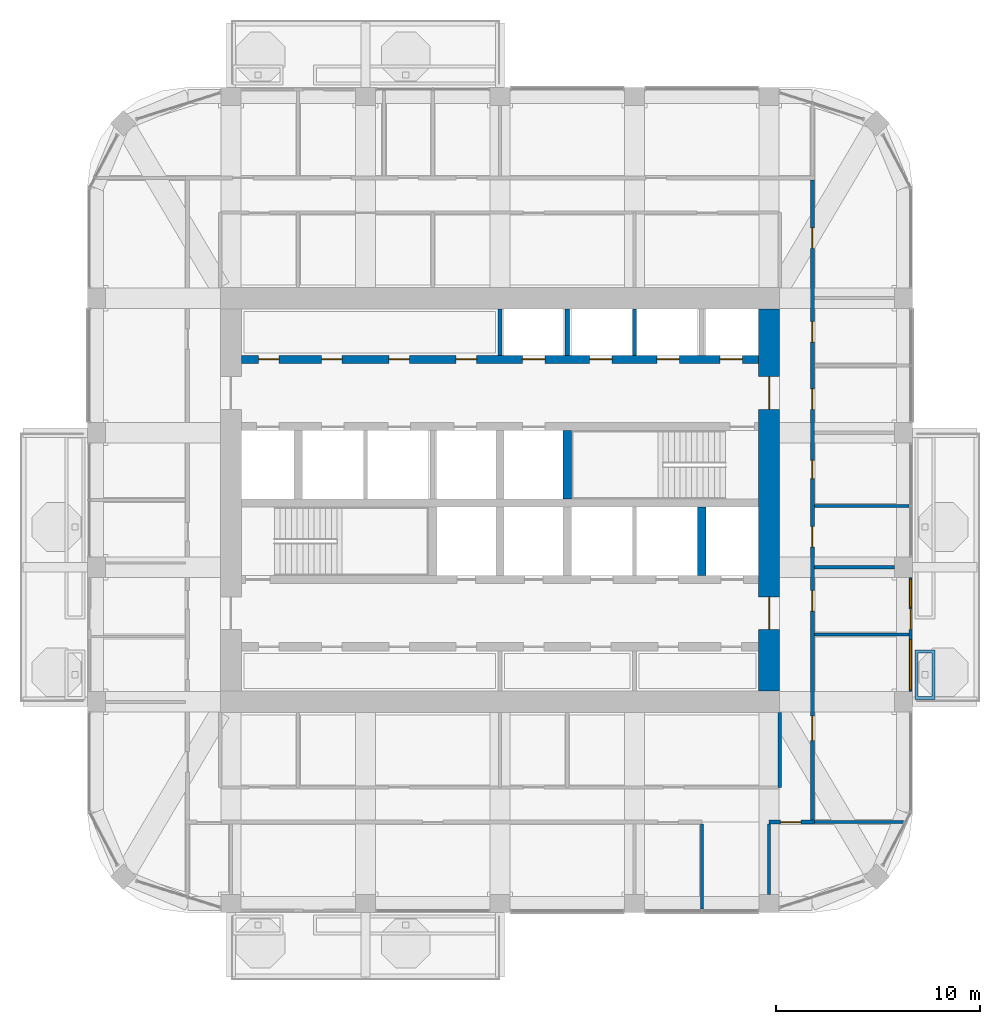
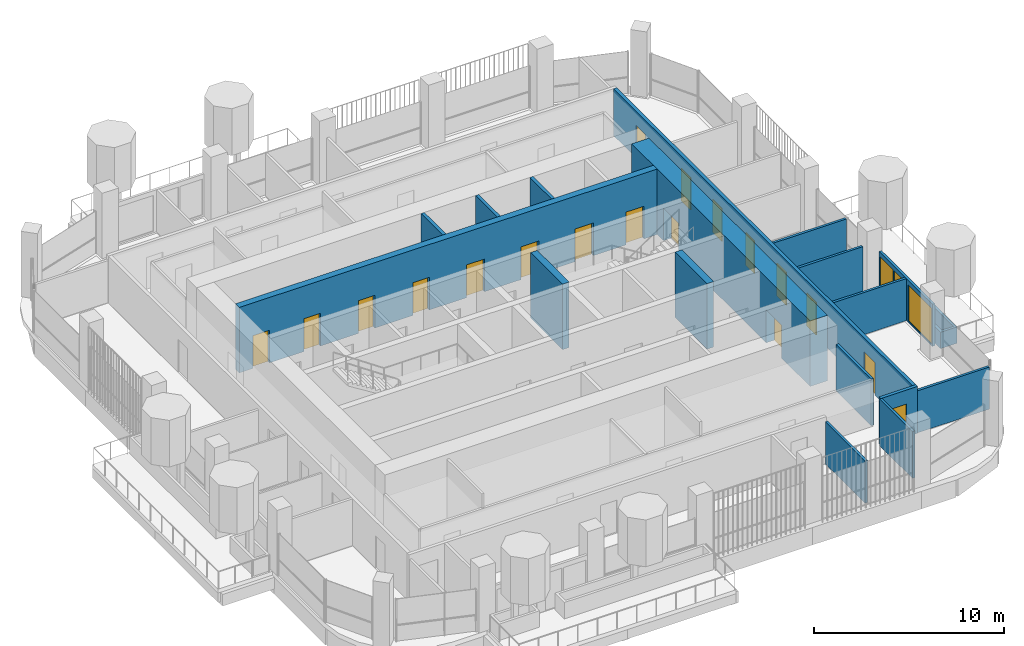
# One storey, part 14 of 20: 19 doors, 18 walls, 2 windows, 21 openings.
"""IFC4 building model written with IfcOpenShell, lengths in metres."""

from ifc_helpers import new_model, si_unit, direction, frame, frame_2d, origin, place, context, subcontext, project, spatial, polyline, rectangle, outline, extrude, material, layer, layer_set, type_object, element, fill, save


model = new_model("IFC4")

# Units and contexts
model_context = context("Model", 3, precision=1e-05, world=origin(), true_north=direction((0.0, 1.0)))
body_context = subcontext(model_context, "Body", "Model", "MODEL_VIEW")
ifc_project = project(units=[si_unit("LENGTHUNIT", "METRE"), si_unit("AREAUNIT", "SQUARE_METRE"), si_unit("VOLUMEUNIT", "CUBIC_METRE"), si_unit("PLANEANGLEUNIT", "RADIAN"), si_unit("MASSUNIT", "GRAM", prefix="KILO")], contexts=[model_context])

# Site, building, storey
site_placement = place(None, origin())
site = spatial("IfcSite", under=ifc_project, at=site_placement, CompositionType="ELEMENT")
building_placement = place(site_placement, origin())
building = spatial("IfcBuilding", under=site, at=building_placement, Name="Cobogo Forest Laboratory Tower", CompositionType="ELEMENT")
storey_placement = place(building_placement, frame((0.0, 0.0, 279.60009765625)))
storey = spatial("IfcBuildingStorey", under=building, at=storey_placement, Name="L64", CompositionType="ELEMENT", Elevation=279.60009765625)

# Wall, openings, doors
ifc_material_1 = material(Name="Concrete HA-50 (C50/60)", Category="concrete")
ifc_layer_1 = layer(ifc_material_1, 0.39990234375)
ifc_layer_set_1 = layer_set([ifc_layer_1], Name="CI400 core inner wall 400")
wall_type_1 = type_object("IfcWallType", Name="CI400 core inner wall 400", PredefinedType="SHEAR", material=ifc_layer_set_1)
wall_1_placement = place(storey_placement, frame((13.72509765625, 30.0, 0.0), z_axis=(0.0, 0.0, 1.0), x_axis=(1.0, 0.0, 0.0)))
wall_1 = element("IfcWall", 1, at=wall_1_placement, inside=storey, type_object=wall_type_1, Name="Core wall CI-30.0 L64", PredefinedType="SHEAR", context=body_context, shape_type="SweptSolid", body=[
    extrude(rectangle(XDim=25.349853515625, YDim=0.39990234375, at=frame_2d((12.6748046875, 0.0))), origin(), (0.0, 0.0, 1.0), 4.199951171875),
])
opening_1_placement = place(wall_1_placement, frame((0.83740234375, 0.0, 0.0)))
opening_1 = element("IfcOpeningElement", 2, at=opening_1_placement, cuts=wall_1, Name="Opening L64-D37", PredefinedType="OPENING", context=body_context, shape_type="SweptSolid", body=[
    extrude(rectangle(XDim=1.0, YDim=2.10009765625, at=frame_2d((0.5, 1.050048828125))), frame((0.0, 0.2099609375, 0.0), z_axis=(0.0, -1.0, 0.0), x_axis=(1.0, 0.0, 0.0)), (0.0, 0.0, 1.0), 0.419921875),
])
opening_2_placement = place(wall_1_placement, frame((3.925048828125, 0.0, 0.0)))
opening_2 = element("IfcOpeningElement", 3, at=opening_2_placement, cuts=wall_1, Name="Opening L64-D38", PredefinedType="OPENING", context=body_context, shape_type="SweptSolid", body=[
    extrude(rectangle(XDim=1.0, YDim=2.10009765625, at=frame_2d((0.5, 1.050048828125))), frame((0.0, 0.2099609375, 0.0), z_axis=(0.0, -1.0, 0.0), x_axis=(1.0, 0.0, 0.0)), (0.0, 0.0, 1.0), 0.419921875),
])
opening_3_placement = place(wall_1_placement, frame((7.22509765625, 0.0, 0.0)))
opening_3 = element("IfcOpeningElement", 4, at=opening_3_placement, cuts=wall_1, Name="Opening L64-D39", PredefinedType="OPENING", context=body_context, shape_type="SweptSolid", body=[
    extrude(rectangle(XDim=1.0, YDim=2.10009765625, at=frame_2d((0.5, 1.050048828125))), frame((0.0, 0.2099609375, 0.0), z_axis=(0.0, -1.0, 0.0), x_axis=(1.0, 0.0, 0.0)), (0.0, 0.0, 1.0), 0.419921875),
])
opening_4_placement = place(wall_1_placement, frame((10.52490234375, 0.0, 0.0)))
opening_4 = element("IfcOpeningElement", 5, at=opening_4_placement, cuts=wall_1, Name="Opening L64-D40", PredefinedType="OPENING", context=body_context, shape_type="SweptSolid", body=[
    extrude(rectangle(XDim=1.0, YDim=2.10009765625, at=frame_2d((0.5, 1.050048828125))), frame((0.0, 0.2099609375, 0.0), z_axis=(0.0, -1.0, 0.0), x_axis=(1.0, 0.0, 0.0)), (0.0, 0.0, 1.0), 0.419921875),
])
opening_5_placement = place(wall_1_placement, frame((13.77490234375, 0.0, 0.0)))
opening_5 = element("IfcOpeningElement", 6, at=opening_5_placement, cuts=wall_1, Name="Opening L64-LD-LD1", PredefinedType="OPENING", context=body_context, shape_type="SweptSolid", body=[
    extrude(rectangle(XDim=1.10009765625, YDim=2.10009765625, at=frame_2d((0.550048828125, 1.050048828125))), frame((0.0, 0.2099609375, 0.0), z_axis=(0.0, -1.0, 0.0), x_axis=(1.0, 0.0, 0.0)), (0.0, 0.0, 1.0), 0.419921875),
])
opening_6_placement = place(wall_1_placement, frame((17.074951171875, 0.0, 0.0)))
opening_6 = element("IfcOpeningElement", 7, at=opening_6_placement, cuts=wall_1, Name="Opening L64-LD-LD2", PredefinedType="OPENING", context=body_context, shape_type="SweptSolid", body=[
    extrude(rectangle(XDim=1.10009765625, YDim=2.10009765625, at=frame_2d((0.550048828125, 1.050048828125))), frame((0.0, 0.2099609375, 0.0), z_axis=(0.0, -1.0, 0.0), x_axis=(1.0, 0.0, 0.0)), (0.0, 0.0, 1.0), 0.419921875),
])
opening_7_placement = place(wall_1_placement, frame((20.375, 0.0, 0.0)))
opening_7 = element("IfcOpeningElement", 8, at=opening_7_placement, cuts=wall_1, Name="Opening L64-LD-LD3", PredefinedType="OPENING", context=body_context, shape_type="SweptSolid", body=[
    extrude(rectangle(XDim=1.10009765625, YDim=2.10009765625, at=frame_2d((0.550048828125, 1.050048828125))), frame((0.0, 0.2099609375, 0.0), z_axis=(0.0, -1.0, 0.0), x_axis=(1.0, 0.0, 0.0)), (0.0, 0.0, 1.0), 0.419921875),
])
opening_8_placement = place(wall_1_placement, frame((23.46240234375, 0.0, 0.0)))
opening_8 = element("IfcOpeningElement", 9, at=opening_8_placement, cuts=wall_1, Name="Opening L64-LD-LD4", PredefinedType="OPENING", context=body_context, shape_type="SweptSolid", body=[
    extrude(rectangle(XDim=1.10009765625, YDim=2.10009765625, at=frame_2d((0.550048828125, 1.050048828125))), frame((0.0, 0.2099609375, 0.0), z_axis=(0.0, -1.0, 0.0), x_axis=(1.0, 0.0, 0.0)), (0.0, 0.0, 1.0), 0.419921875),
])
ifc_material_2 = material(Name="Steel fire door", Category="steel")
door_type_1 = type_object("IfcDoorType", Name="FD1 fire door 1000 EI2 60", OperationType="SINGLE_SWING_LEFT", PredefinedType="DOOR", material=ifc_material_2)
door_1_placement = place(opening_1_placement, origin())
door_1 = element("IfcDoor", 10, at=door_1_placement, inside=storey, type_object=door_type_1, Name="Door L64-SH-LC1", OperationType="SINGLE_SWING_LEFT", OverallHeight=2.10009765625, OverallWidth=1.0, PredefinedType="DOOR", context=body_context, shape_type="SweptSolid", body=[
    extrude(rectangle(XDim=1.0, YDim=2.10009765625, at=frame_2d((0.5, 1.050048828125))), frame((0.0, 0.02490234375, 0.0), z_axis=(0.0, -1.0, 0.0), x_axis=(1.0, 0.0, 0.0)), (0.0, 0.0, 1.0), 0.050048828125),
])
fill(opening_1, door_1)
door_2_placement = place(opening_2_placement, origin())
door_2 = element("IfcDoor", 11, at=door_2_placement, inside=storey, type_object=door_type_1, Name="Door L64-SH-LC2", OperationType="SINGLE_SWING_LEFT", OverallHeight=2.10009765625, OverallWidth=1.0, PredefinedType="DOOR", context=body_context, shape_type="SweptSolid", body=[
    extrude(rectangle(XDim=1.0, YDim=2.10009765625, at=frame_2d((0.5, 1.050048828125))), frame((0.0, 0.02490234375, 0.0), z_axis=(0.0, -1.0, 0.0), x_axis=(1.0, 0.0, 0.0)), (0.0, 0.0, 1.0), 0.050048828125),
])
fill(opening_2, door_2)
door_3_placement = place(opening_3_placement, origin())
door_3 = element("IfcDoor", 12, at=door_3_placement, inside=storey, type_object=door_type_1, Name="Door L64-SH-LC3", OperationType="SINGLE_SWING_LEFT", OverallHeight=2.10009765625, OverallWidth=1.0, PredefinedType="DOOR", context=body_context, shape_type="SweptSolid", body=[
    extrude(rectangle(XDim=1.0, YDim=2.10009765625, at=frame_2d((0.5, 1.050048828125))), frame((0.0, 0.02490234375, 0.0), z_axis=(0.0, -1.0, 0.0), x_axis=(1.0, 0.0, 0.0)), (0.0, 0.0, 1.0), 0.050048828125),
])
fill(opening_3, door_3)
door_4_placement = place(opening_4_placement, origin())
door_4 = element("IfcDoor", 13, at=door_4_placement, inside=storey, type_object=door_type_1, Name="Door L64-SH-LC4", OperationType="SINGLE_SWING_LEFT", OverallHeight=2.10009765625, OverallWidth=1.0, PredefinedType="DOOR", context=body_context, shape_type="SweptSolid", body=[
    extrude(rectangle(XDim=1.0, YDim=2.10009765625, at=frame_2d((0.5, 1.050048828125))), frame((0.0, 0.02490234375, 0.0), z_axis=(0.0, -1.0, 0.0), x_axis=(1.0, 0.0, 0.0)), (0.0, 0.0, 1.0), 0.050048828125),
])
fill(opening_4, door_4)
ifc_material_3 = material(Name="Stainless steel lift door", Category="steel")
door_type_2 = type_object("IfcDoorType", Name="LD lift landing door 1100", OperationType="DOUBLE_DOOR_SLIDING", PredefinedType="DOOR", material=ifc_material_3)
door_5_placement = place(opening_5_placement, origin())
door_5 = element("IfcDoor", 14, at=door_5_placement, inside=storey, type_object=door_type_2, Name="Lift landing door LD1 L64", OperationType="DOUBLE_DOOR_SLIDING", OverallHeight=2.10009765625, OverallWidth=1.10009765625, PredefinedType="DOOR", context=body_context, shape_type="SweptSolid", body=[
    extrude(rectangle(XDim=1.10009765625, YDim=2.10009765625, at=frame_2d((0.550048828125, 1.050048828125))), frame((0.0, 0.02490234375, 0.0), z_axis=(0.0, -1.0, 0.0), x_axis=(1.0, 0.0, 0.0)), (0.0, 0.0, 1.0), 0.050048828125),
])
fill(opening_5, door_5)
door_6_placement = place(opening_6_placement, origin())
door_6 = element("IfcDoor", 15, at=door_6_placement, inside=storey, type_object=door_type_2, Name="Lift landing door LD2 L64", OperationType="DOUBLE_DOOR_SLIDING", OverallHeight=2.10009765625, OverallWidth=1.10009765625, PredefinedType="DOOR", context=body_context, shape_type="SweptSolid", body=[
    extrude(rectangle(XDim=1.10009765625, YDim=2.10009765625, at=frame_2d((0.550048828125, 1.050048828125))), frame((0.0, 0.02490234375, 0.0), z_axis=(0.0, -1.0, 0.0), x_axis=(1.0, 0.0, 0.0)), (0.0, 0.0, 1.0), 0.050048828125),
])
fill(opening_6, door_6)
door_7_placement = place(opening_7_placement, origin())
door_7 = element("IfcDoor", 16, at=door_7_placement, inside=storey, type_object=door_type_2, Name="Lift landing door LD3 L64", OperationType="DOUBLE_DOOR_SLIDING", OverallHeight=2.10009765625, OverallWidth=1.10009765625, PredefinedType="DOOR", context=body_context, shape_type="SweptSolid", body=[
    extrude(rectangle(XDim=1.10009765625, YDim=2.10009765625, at=frame_2d((0.550048828125, 1.050048828125))), frame((0.0, 0.02490234375, 0.0), z_axis=(0.0, -1.0, 0.0), x_axis=(1.0, 0.0, 0.0)), (0.0, 0.0, 1.0), 0.050048828125),
])
fill(opening_7, door_7)
door_8_placement = place(opening_8_placement, origin())
door_8 = element("IfcDoor", 17, at=door_8_placement, inside=storey, type_object=door_type_2, Name="Lift landing door LD4 L64", OperationType="DOUBLE_DOOR_SLIDING", OverallHeight=2.10009765625, OverallWidth=1.10009765625, PredefinedType="DOOR", context=body_context, shape_type="SweptSolid", body=[
    extrude(rectangle(XDim=1.10009765625, YDim=2.10009765625, at=frame_2d((0.550048828125, 1.050048828125))), frame((0.0, 0.02490234375, 0.0), z_axis=(0.0, -1.0, 0.0), x_axis=(1.0, 0.0, 0.0)), (0.0, 0.0, 1.0), 0.050048828125),
])
fill(opening_8, door_8)

# Walls
for number, where, z_axis, x_axis, name in (
    (18, (36.300048828125, 19.39990234375, 0.0), (0.0, 0.0, 1.0), (0.0, 1.0, 0.0), "Core wall CX-36.3 L64"),
    (19, (29.699951171875, 23.14990234375, 0.0), (0.0, 0.0, 1.0), (0.0, 1.0, 0.0), "Core wall CX-29.7N L64"),
):
    element("IfcWall", number, at=place(storey_placement, frame(where, z_axis=z_axis, x_axis=x_axis)), inside=storey, type_object=wall_type_1, Name=name, PredefinedType="SHEAR", context=body_context, shape_type="SweptSolid", body=[
        extrude(rectangle(XDim=3.35009765625, YDim=0.39990234375, at=frame_2d((1.675048828125, 0.0))), origin(), (0.0, 0.0, 1.0), 4.199951171875),
    ])

# Wall, openings, doors
ifc_layer_2 = layer(ifc_material_1, 1.050048828125)
ifc_layer_set_2 = layer_set([ifc_layer_2], Name="CW1050 core outer wall 1050")
wall_type_2 = type_object("IfcWallType", Name="CW1050 core outer wall 1050", PredefinedType="SHEAR", material=ifc_layer_set_2)
wall_2_placement = place(storey_placement, frame((39.60009765625, 13.72509765625, 0.0), z_axis=(0.0, 0.0, 1.0), x_axis=(0.0, 1.0, 0.0)))
wall_2 = element("IfcWall", 20, at=wall_2_placement, inside=storey, type_object=wall_type_2, Name="Core wall CO-E L64", PredefinedType="SHEAR", context=body_context, shape_type="SweptSolid", body=[
    extrude(rectangle(XDim=18.75, YDim=1.050048828125, at=frame_2d((9.375, 0.0))), origin(), (0.0, 0.0, 1.0), 4.199951171875),
])
opening_9_placement = place(wall_2_placement, frame((3.02490234375, 0.0, 0.0)))
opening_9 = element("IfcOpeningElement", 21, at=opening_9_placement, cuts=wall_2, Name="Opening L64-D24", PredefinedType="OPENING", context=body_context, shape_type="SweptSolid", body=[
    extrude(rectangle(XDim=1.60009765625, YDim=2.10009765625, at=frame_2d((0.800048828125, 1.050048828125))), frame((0.0, 0.534912109375, 0.0), z_axis=(0.0, -1.0, 0.0), x_axis=(1.0, 0.0, 0.0)), (0.0, 0.0, 1.0), 1.070068359375),
])
opening_10_placement = place(wall_2_placement, frame((13.824951171875, 0.0, 0.0)))
opening_10 = element("IfcOpeningElement", 22, at=opening_10_placement, cuts=wall_2, Name="Opening L64-D36", PredefinedType="OPENING", context=body_context, shape_type="SweptSolid", body=[
    extrude(rectangle(XDim=1.60009765625, YDim=2.10009765625, at=frame_2d((0.800048828125, 1.050048828125))), frame((0.0, 0.534912109375, 0.0), z_axis=(0.0, -1.0, 0.0), x_axis=(1.0, 0.0, 0.0)), (0.0, 0.0, 1.0), 1.070068359375),
])
door_type_3 = type_object("IfcDoorType", Name="DS2 protected lobby door pair 1600 EI2 60", OperationType="DOUBLE_DOOR_DOUBLE_SWING", PredefinedType="DOOR", material=ifc_material_2)
door_9_placement = place(opening_9_placement, origin())
door_9 = element("IfcDoor", 23, at=door_9_placement, inside=storey, type_object=door_type_3, Name="Door L64-CO-E-S", OperationType="DOUBLE_DOOR_DOUBLE_SWING", OverallHeight=2.10009765625, OverallWidth=1.60009765625, PredefinedType="DOOR", context=body_context, shape_type="SweptSolid", body=[
    extrude(rectangle(XDim=1.60009765625, YDim=2.10009765625, at=frame_2d((0.800048828125, 1.050048828125))), frame((0.0, 0.02490234375, 0.0), z_axis=(0.0, -1.0, 0.0), x_axis=(1.0, 0.0, 0.0)), (0.0, 0.0, 1.0), 0.050048828125),
])
fill(opening_9, door_9)
door_10_placement = place(opening_10_placement, origin())
door_10 = element("IfcDoor", 24, at=door_10_placement, inside=storey, type_object=door_type_3, Name="Door L64-CO-E-N", OperationType="DOUBLE_DOOR_DOUBLE_SWING", OverallHeight=2.10009765625, OverallWidth=1.60009765625, PredefinedType="DOOR", context=body_context, shape_type="SweptSolid", body=[
    extrude(rectangle(XDim=1.60009765625, YDim=2.10009765625, at=frame_2d((0.800048828125, 1.050048828125))), frame((0.0, 0.02490234375, 0.0), z_axis=(0.0, -1.0, 0.0), x_axis=(1.0, 0.0, 0.0)), (0.0, 0.0, 1.0), 0.050048828125),
])
fill(opening_10, door_10)

# Wall, openings, door, windows
ifc_material_4 = material(Name="Aluminium framed glazed screen", Category="aluminium")
ifc_layer_3 = layer(ifc_material_4, 0.14990234375)
ifc_layer_set_3 = layer_set([ifc_layer_3], Name="GS1 glazed door screen 150")
wall_type_3 = type_object("IfcWallType", Name="GS1 glazed door screen 150", PredefinedType="SOLIDWALL", material=ifc_layer_set_3)
wall_3_placement = place(storey_placement, frame((46.550048828125, 13.699951171875, 0.0), z_axis=(0.0, 0.0, 1.0), x_axis=(0.0, 1.0, 0.0)))
wall_3 = element("IfcWall", 25, at=wall_3_placement, inside=storey, type_object=wall_type_3, Name="Door screen BAL-E1 L64", PredefinedType="SOLIDWALL", context=body_context, shape_type="SweptSolid", body=[
    extrude(rectangle(XDim=5.60009765625, YDim=0.14990234375, at=frame_2d((2.800048828125, 0.0))), origin(), (0.0, 0.0, 1.0), 2.699951171875),
])
opening_11_placement = place(wall_3_placement, frame((3.050048828125, 0.0, 0.0)))
opening_11 = element("IfcOpeningElement", 26, at=opening_11_placement, cuts=wall_3, Name="Opening L64-D22", PredefinedType="OPENING", context=body_context, shape_type="SweptSolid", body=[
    extrude(rectangle(XDim=1.0, YDim=2.39990234375, at=frame_2d((0.5, 1.199951171875))), frame((0.0, 0.0849609375, 0.0), z_axis=(0.0, -1.0, 0.0), x_axis=(1.0, 0.0, 0.0)), (0.0, 0.0, 1.0), 0.169921875),
])
opening_12_placement = place(wall_3_placement, frame((0.10009765625, 0.0, 0.10009765625)))
opening_12 = element("IfcOpeningElement", 27, at=opening_12_placement, cuts=wall_3, Name="Opening L64-W04", PredefinedType="OPENING", context=body_context, shape_type="SweptSolid", body=[
    extrude(rectangle(XDim=2.449951171875, YDim=2.300048828125, at=frame_2d((1.22509765625, 1.14990234375))), frame((0.0, 0.0849609375, 0.0), z_axis=(0.0, -1.0, 0.0), x_axis=(1.0, 0.0, 0.0)), (0.0, 0.0, 1.0), 0.169921875),
])
opening_13_placement = place(wall_3_placement, frame((4.14990234375, 0.0, 0.10009765625)))
opening_13 = element("IfcOpeningElement", 28, at=opening_13_placement, cuts=wall_3, Name="Opening L64-W06", PredefinedType="OPENING", context=body_context, shape_type="SweptSolid", body=[
    extrude(rectangle(XDim=1.35009765625, YDim=2.300048828125, at=frame_2d((0.675048828125, 1.14990234375))), frame((0.0, 0.0849609375, 0.0), z_axis=(0.0, -1.0, 0.0), x_axis=(1.0, 0.0, 0.0)), (0.0, 0.0, 1.0), 0.169921875),
])
ifc_material_5 = material(Name="Aluminium glazed door", Category="aluminium")
door_type_4 = type_object("IfcDoorType", Name="DB1 balcony door 1000 glazed", OperationType="SINGLE_SWING_LEFT", PredefinedType="DOOR", material=ifc_material_5)
door_11_placement = place(opening_11_placement, origin())
door_11 = element("IfcDoor", 29, at=door_11_placement, inside=storey, type_object=door_type_4, Name="Door L64-BAL-E1", OperationType="SINGLE_SWING_RIGHT", OverallHeight=2.39990234375, OverallWidth=1.0, PredefinedType="DOOR", context=body_context, shape_type="SweptSolid", body=[
    extrude(rectangle(XDim=1.0, YDim=2.39990234375, at=frame_2d((0.5, 1.199951171875))), frame((0.0, 0.02490234375, 0.0), z_axis=(0.0, -1.0, 0.0), x_axis=(1.0, 0.0, 0.0)), (0.0, 0.0, 1.0), 0.050048828125),
])
fill(opening_11, door_11)
ifc_material_6 = material(Name="Aluminium framed glazing", Category="aluminium")
window_type_1 = type_object("IfcWindowType", Name="WG23 fixed glazed light 2450x2300", PartitioningType="SINGLE_PANEL", PredefinedType="WINDOW", material=ifc_material_6)
window_1_placement = place(opening_12_placement, origin())
window_1 = element("IfcWindow", 30, at=window_1_placement, inside=storey, type_object=window_type_1, Name="Window L64-BAL-E1-1", OverallHeight=2.300048828125, OverallWidth=2.449951171875, PartitioningType="SINGLE_PANEL", PredefinedType="WINDOW", context=body_context, shape_type="SweptSolid", body=[
    extrude(rectangle(XDim=2.449951171875, YDim=2.300048828125, at=frame_2d((1.22509765625, 1.14990234375))), frame((0.0, 0.030029296875, 0.0), z_axis=(0.0, -1.0, 0.0), x_axis=(1.0, 0.0, 0.0)), (0.0, 0.0, 1.0), 0.06005859375),
])
fill(opening_12, window_1)
window_type_2 = type_object("IfcWindowType", Name="WG24 fixed glazed light 1350x2300", PartitioningType="SINGLE_PANEL", PredefinedType="WINDOW", material=ifc_material_6)
window_2_placement = place(opening_13_placement, origin())
window_2 = element("IfcWindow", 31, at=window_2_placement, inside=storey, type_object=window_type_2, Name="Window L64-BAL-E1-2", OverallHeight=2.300048828125, OverallWidth=1.35009765625, PartitioningType="SINGLE_PANEL", PredefinedType="WINDOW", context=body_context, shape_type="SweptSolid", body=[
    extrude(rectangle(XDim=1.35009765625, YDim=2.300048828125, at=frame_2d((0.675048828125, 1.14990234375))), frame((0.0, 0.030029296875, 0.0), z_axis=(0.0, -1.0, 0.0), x_axis=(1.0, 0.0, 0.0)), (0.0, 0.0, 1.0), 0.06005859375),
])
fill(opening_13, window_2)

# Walls
ifc_material_7 = material(Name="Gypsum board on steel studs", Category="steel")
ifc_layer_4 = layer(ifc_material_7, 0.14990234375)
ifc_layer_set_4 = layer_set([ifc_layer_4], Name="PT1 laboratory partition 150")
wall_type_4 = type_object("IfcWallType", Name="PT1 laboratory partition 150", PredefinedType="PARTITIONING", material=ifc_layer_set_4)
wall_4_placement = place(storey_placement, frame((40.125, 12.675048828125, 0.0), z_axis=(0.0, 0.0, 1.0), x_axis=(0.0, -1.0, 0.0)))
element("IfcWall", 32, at=wall_4_placement, inside=storey, type_object=wall_type_4, Name="Partition CSTRIP-SE L64", PredefinedType="PARTITIONING", context=body_context, shape_type="SweptSolid", body=[
    extrude(rectangle(XDim=3.675048828125, YDim=0.14990234375, at=frame_2d((1.83740234375, 0.0))), origin(), (0.0, 0.0, 1.0), 3.0),
])
wall_5_placement = place(storey_placement, frame((46.197509765625, 7.300048828125, 0.0), z_axis=(0.0, 0.0, 1.0), x_axis=(-1.0, 0.0, 0.0)))
element("IfcWall", 33, at=wall_5_placement, inside=storey, type_object=wall_type_4, Name="Partition PW-SE L64", PredefinedType="PARTITIONING", context=body_context, shape_type="SweptSolid", body=[
    extrude(rectangle(XDim=4.37255859375, YDim=0.14990234375, at=frame_2d((2.186279296875, 0.0))), origin(), (0.0, 0.0, 1.0), 2.699951171875),
])
wall_6_placement = place(storey_placement, frame((36.300048828125, 3.030029296875, 0.0), z_axis=(0.0, 0.0, 1.0), x_axis=(0.0, 1.0, 0.0)))
element("IfcWall", 34, at=wall_6_placement, inside=storey, type_object=wall_type_4, Name="Partition CUT-S36.3-1 L64", PredefinedType="PARTITIONING", context=body_context, shape_type="SweptSolid", body=[
    extrude(rectangle(XDim=4.169921875, YDim=0.14990234375, at=frame_2d((2.0849609375, 0.0))), origin(), (0.0, 0.0, 1.0), 2.699951171875),
])
wall_7_placement = place(storey_placement, frame((39.60009765625, 3.75, 0.0), z_axis=(0.0, 0.0, 1.0), x_axis=(0.0, 1.0, 0.0)))
element("IfcWall", 35, at=wall_7_placement, inside=storey, type_object=wall_type_4, Name="Partition CUT-S39.6-1 L64", PredefinedType="PARTITIONING", context=body_context, shape_type="SweptSolid", body=[
    extrude(rectangle(XDim=3.449951171875, YDim=0.14990234375, at=frame_2d((1.72509765625, 0.0))), origin(), (0.0, 0.0, 1.0), 3.0),
])
for number, where, z_axis, x_axis, name in (
    (36, (46.469970703125, 22.800048828125, 0.0), (0.0, 0.0, 1.0), (-1.0, 0.0, 0.0), "Partition SVC-E1-1 L64"),
    (37, (46.469970703125, 16.5, 0.0), (0.0, 0.0, 1.0), (-1.0, 0.0, 0.0), "Partition CUT-E16.5-1 L64"),
):
    element("IfcWall", number, at=place(storey_placement, frame(where, z_axis=z_axis, x_axis=x_axis)), inside=storey, type_object=wall_type_4, Name=name, PredefinedType="PARTITIONING", context=body_context, shape_type="SweptSolid", body=[
        extrude(rectangle(XDim=4.64501953125, YDim=0.14990234375, at=frame_2d((2.322509765625, 0.0))), origin(), (0.0, 0.0, 1.0), 2.699951171875),
    ])
wall_8_placement = place(storey_placement, frame((45.75, 19.800048828125, 0.0), z_axis=(0.0, 0.0, 1.0), x_axis=(-1.0, 0.0, 0.0)))
element("IfcWall", 38, at=wall_8_placement, inside=storey, type_object=wall_type_4, Name="Partition CUT-E19.8-1 L64", PredefinedType="PARTITIONING", context=body_context, shape_type="SweptSolid", body=[
    extrude(rectangle(XDim=3.925048828125, YDim=0.14990234375, at=frame_2d((1.96240234375, 0.0))), origin(), (0.0, 0.0, 1.0), 3.0),
])

# Wall, opening, door
ifc_layer_5 = layer(ifc_material_7, 0.199951171875)
ifc_layer_set_5 = layer_set([ifc_layer_5], Name="PT2 fire-rated corridor partition 200")
wall_type_5 = type_object("IfcWallType", Name="PT2 fire-rated corridor partition 200", PredefinedType="PARTITIONING", material=ifc_layer_set_5)
wall_9_placement = place(storey_placement, frame((39.60009765625, 7.300048828125, 0.0), z_axis=(0.0, 0.0, 1.0), x_axis=(1.0, 0.0, 0.0)))
wall_9 = element("IfcWall", 39, at=wall_9_placement, inside=storey, type_object=wall_type_5, Name="Partition CORR-S-2 L64", PredefinedType="PARTITIONING", context=body_context, shape_type="SweptSolid", body=[
    extrude(rectangle(XDim=2.224853515625, YDim=0.199951171875, at=frame_2d((1.1123046875, 0.0))), origin(), (0.0, 0.0, 1.0), 3.0),
])
opening_14_placement = place(wall_9_placement, frame((0.5625, 0.0, 0.0)))
opening_14 = element("IfcOpeningElement", 40, at=opening_14_placement, cuts=wall_9, Name="Opening L64-D05", PredefinedType="OPENING", context=body_context, shape_type="SweptSolid", body=[
    extrude(rectangle(XDim=1.0, YDim=2.10009765625, at=frame_2d((0.5, 1.050048828125))), frame((0.0, 0.10986328125, 0.0), z_axis=(0.0, -1.0, 0.0), x_axis=(1.0, 0.0, 0.0)), (0.0, 0.0, 1.0), 0.219970703125),
])
ifc_material_8 = material(Name="Timber fire door", Category="wood")
door_type_5 = type_object("IfcDoorType", Name="FD2 fire door 1000 EI2 30", OperationType="SINGLE_SWING_LEFT", PredefinedType="DOOR", material=ifc_material_8)
door_12_placement = place(opening_14_placement, origin())
door_12 = element("IfcDoor", 41, at=door_12_placement, inside=storey, type_object=door_type_5, Name="Door L64-S5", OperationType="SINGLE_SWING_LEFT", OverallHeight=2.10009765625, OverallWidth=1.0, PredefinedType="DOOR", context=body_context, shape_type="SweptSolid", body=[
    extrude(rectangle(XDim=1.0, YDim=2.10009765625, at=frame_2d((0.5, 1.050048828125))), frame((0.0, 0.02490234375, 0.0), z_axis=(0.0, -1.0, 0.0), x_axis=(1.0, 0.0, 0.0)), (0.0, 0.0, 1.0), 0.050048828125),
])
fill(opening_14, door_12)

# Wall, openings, doors
wall_10_placement = place(storey_placement, frame((41.72509765625, 7.39990234375, 0.0), z_axis=(0.0, 0.0, 1.0), x_axis=(0.0, 1.0, 0.0)))
wall_10 = element("IfcWall", 42, at=wall_10_placement, inside=storey, type_object=wall_type_5, Name="Partition CORR-E L64", PredefinedType="PARTITIONING", context=body_context, shape_type="SweptSolid", body=[
    extrude(rectangle(XDim=31.400146484375, YDim=0.199951171875, at=frame_2d((15.7001953125, 0.0))), origin(), (0.0, 0.0, 1.0), 3.0),
])
opening_15_placement = place(wall_10_placement, frame((3.89990234375, 0.0, 0.0)))
opening_15 = element("IfcOpeningElement", 43, at=opening_15_placement, cuts=wall_10, Name="Opening L64-D11", PredefinedType="OPENING", context=body_context, shape_type="SweptSolid", body=[
    extrude(rectangle(XDim=1.199951171875, YDim=2.10009765625, at=frame_2d((0.60009765625, 1.050048828125))), frame((0.0, 0.10986328125, 0.0), z_axis=(0.0, -1.0, 0.0), x_axis=(1.0, 0.0, 0.0)), (0.0, 0.0, 1.0), 0.219970703125),
])
opening_16_placement = place(wall_10_placement, frame((10.25, 0.0, 0.0)))
opening_16 = element("IfcOpeningElement", 44, at=opening_16_placement, cuts=wall_10, Name="Opening L64-D25", PredefinedType="OPENING", context=body_context, shape_type="SweptSolid", body=[
    extrude(rectangle(XDim=1.0, YDim=2.10009765625, at=frame_2d((0.5, 1.050048828125))), frame((0.0, 0.10986328125, 0.0), z_axis=(0.0, -1.0, 0.0), x_axis=(1.0, 0.0, 0.0)), (0.0, 0.0, 1.0), 0.219970703125),
])
opening_17_placement = place(wall_10_placement, frame((13.39990234375, 0.0, 0.0)))
opening_17 = element("IfcOpeningElement", 45, at=opening_17_placement, cuts=wall_10, Name="Opening L64-D30", PredefinedType="OPENING", context=body_context, shape_type="SweptSolid", body=[
    extrude(rectangle(XDim=1.0, YDim=2.10009765625, at=frame_2d((0.5, 1.050048828125))), frame((0.0, 0.10986328125, 0.0), z_axis=(0.0, -1.0, 0.0), x_axis=(1.0, 0.0, 0.0)), (0.0, 0.0, 1.0), 0.219970703125),
])
opening_18_placement = place(wall_10_placement, frame((16.75, 0.0, 0.0)))
opening_18 = element("IfcOpeningElement", 46, at=opening_18_placement, cuts=wall_10, Name="Opening L64-D32", PredefinedType="OPENING", context=body_context, shape_type="SweptSolid", body=[
    extrude(rectangle(XDim=0.89990234375, YDim=2.10009765625, at=frame_2d((0.449951171875, 1.050048828125))), frame((0.0, 0.10986328125, 0.0), z_axis=(0.0, -1.0, 0.0), x_axis=(1.0, 0.0, 0.0)), (0.0, 0.0, 1.0), 0.219970703125),
])
opening_19_placement = place(wall_10_placement, frame((20.14990234375, 0.0, 0.0)))
opening_19 = element("IfcOpeningElement", 47, at=opening_19_placement, cuts=wall_10, Name="Opening L64-D34", PredefinedType="OPENING", context=body_context, shape_type="SweptSolid", body=[
    extrude(rectangle(XDim=1.0, YDim=2.10009765625, at=frame_2d((0.5, 1.050048828125))), frame((0.0, 0.10986328125, 0.0), z_axis=(0.0, -1.0, 0.0), x_axis=(1.0, 0.0, 0.0)), (0.0, 0.0, 1.0), 0.219970703125),
])
opening_20_placement = place(wall_10_placement, frame((23.449951171875, 0.0, 0.0)))
opening_20 = element("IfcOpeningElement", 48, at=opening_20_placement, cuts=wall_10, Name="Opening L64-D42", PredefinedType="OPENING", context=body_context, shape_type="SweptSolid", body=[
    extrude(rectangle(XDim=1.0, YDim=2.10009765625, at=frame_2d((0.5, 1.050048828125))), frame((0.0, 0.10986328125, 0.0), z_axis=(0.0, -1.0, 0.0), x_axis=(1.0, 0.0, 0.0)), (0.0, 0.0, 1.0), 0.219970703125),
])
opening_21_placement = place(wall_10_placement, frame((28.050048828125, 0.0, 0.0)))
opening_21 = element("IfcOpeningElement", 49, at=opening_21_placement, cuts=wall_10, Name="Opening L64-D43", PredefinedType="OPENING", context=body_context, shape_type="SweptSolid", body=[
    extrude(rectangle(XDim=1.0, YDim=2.10009765625, at=frame_2d((0.5, 1.050048828125))), frame((0.0, 0.10986328125, 0.0), z_axis=(0.0, -1.0, 0.0), x_axis=(1.0, 0.0, 0.0)), (0.0, 0.0, 1.0), 0.219970703125),
])
ifc_material_9 = material(Name="Timber door", Category="wood")
door_type_6 = type_object("IfcDoorType", Name="D2 laboratory door 1200 unequal pair", OperationType="DOUBLE_DOOR_SINGLE_SWING", PredefinedType="DOOR", material=ifc_material_9)
door_13_placement = place(opening_15_placement, origin())
door_13 = element("IfcDoor", 50, at=door_13_placement, inside=storey, type_object=door_type_6, Name="Door L64-E1", OperationType="DOUBLE_DOOR_SINGLE_SWING", OverallHeight=2.10009765625, OverallWidth=1.199951171875, PredefinedType="DOOR", context=body_context, shape_type="SweptSolid", body=[
    extrude(rectangle(XDim=1.199951171875, YDim=2.10009765625, at=frame_2d((0.60009765625, 1.050048828125))), frame((0.0, 0.02490234375, 0.0), z_axis=(0.0, -1.0, 0.0), x_axis=(1.0, 0.0, 0.0)), (0.0, 0.0, 1.0), 0.050048828125),
])
fill(opening_15, door_13)
door_14_placement = place(opening_17_placement, origin())
door_14 = element("IfcDoor", 51, at=door_14_placement, inside=storey, type_object=door_type_1, Name="Door L64-ELEC", OperationType="SINGLE_SWING_LEFT", OverallHeight=2.10009765625, OverallWidth=1.0, PredefinedType="DOOR", context=body_context, shape_type="SweptSolid", body=[
    extrude(rectangle(XDim=1.0, YDim=2.10009765625, at=frame_2d((0.5, 1.050048828125))), frame((0.0, 0.02490234375, 0.0), z_axis=(0.0, -1.0, 0.0), x_axis=(1.0, 0.0, 0.0)), (0.0, 0.0, 1.0), 0.050048828125),
])
fill(opening_17, door_14)
door_15_placement = place(opening_16_placement, origin())
door_15 = element("IfcDoor", 52, at=door_15_placement, inside=storey, type_object=door_type_5, Name="Door L64-E2", OperationType="SINGLE_SWING_LEFT", OverallHeight=2.10009765625, OverallWidth=1.0, PredefinedType="DOOR", context=body_context, shape_type="SweptSolid", body=[
    extrude(rectangle(XDim=1.0, YDim=2.10009765625, at=frame_2d((0.5, 1.050048828125))), frame((0.0, 0.02490234375, 0.0), z_axis=(0.0, -1.0, 0.0), x_axis=(1.0, 0.0, 0.0)), (0.0, 0.0, 1.0), 0.050048828125),
])
fill(opening_16, door_15)
door_16_placement = place(opening_19_placement, origin())
door_16 = element("IfcDoor", 53, at=door_16_placement, inside=storey, type_object=door_type_5, Name="Door L64-E3", OperationType="SINGLE_SWING_RIGHT", OverallHeight=2.10009765625, OverallWidth=1.0, PredefinedType="DOOR", context=body_context, shape_type="SweptSolid", body=[
    extrude(rectangle(XDim=1.0, YDim=2.10009765625, at=frame_2d((0.5, 1.050048828125))), frame((0.0, 0.02490234375, 0.0), z_axis=(0.0, -1.0, 0.0), x_axis=(1.0, 0.0, 0.0)), (0.0, 0.0, 1.0), 0.050048828125),
])
fill(opening_19, door_16)
door_17_placement = place(opening_20_placement, origin())
door_17 = element("IfcDoor", 54, at=door_17_placement, inside=storey, type_object=door_type_5, Name="Door L64-E4", OperationType="SINGLE_SWING_RIGHT", OverallHeight=2.10009765625, OverallWidth=1.0, PredefinedType="DOOR", context=body_context, shape_type="SweptSolid", body=[
    extrude(rectangle(XDim=1.0, YDim=2.10009765625, at=frame_2d((0.5, 1.050048828125))), frame((0.0, 0.02490234375, 0.0), z_axis=(0.0, -1.0, 0.0), x_axis=(1.0, 0.0, 0.0)), (0.0, 0.0, 1.0), 0.050048828125),
])
fill(opening_20, door_17)
door_18_placement = place(opening_21_placement, origin())
door_18 = element("IfcDoor", 55, at=door_18_placement, inside=storey, type_object=door_type_5, Name="Door L64-E5", OperationType="SINGLE_SWING_RIGHT", OverallHeight=2.10009765625, OverallWidth=1.0, PredefinedType="DOOR", context=body_context, shape_type="SweptSolid", body=[
    extrude(rectangle(XDim=1.0, YDim=2.10009765625, at=frame_2d((0.5, 1.050048828125))), frame((0.0, 0.02490234375, 0.0), z_axis=(0.0, -1.0, 0.0), x_axis=(1.0, 0.0, 0.0)), (0.0, 0.0, 1.0), 0.050048828125),
])
fill(opening_21, door_18)
door_type_7 = type_object("IfcDoorType", Name="FD4 riser access door 900 EI2 60", OperationType="SINGLE_SWING_LEFT", PredefinedType="DOOR", material=ifc_material_2)
door_19_placement = place(opening_18_placement, origin())
door_19 = element("IfcDoor", 56, at=door_19_placement, inside=storey, type_object=door_type_7, Name="Door L64-COMMS", OperationType="SINGLE_SWING_RIGHT", OverallHeight=2.10009765625, OverallWidth=0.89990234375, PredefinedType="DOOR", context=body_context, shape_type="SweptSolid", body=[
    extrude(rectangle(XDim=0.89990234375, YDim=2.10009765625, at=frame_2d((0.449951171875, 1.050048828125))), frame((0.0, 0.02490234375, 0.0), z_axis=(0.0, -1.0, 0.0), x_axis=(1.0, 0.0, 0.0)), (0.0, 0.0, 1.0), 0.050048828125),
])
fill(opening_18, door_19)

# Walls
ifc_material_10 = material(Name="Concrete HA-40 (C40/50)", Category="concrete")
ifc_layer_6 = layer(ifc_material_10, 0.14990234375)
ifc_layer_set_6 = layer_set([ifc_layer_6], Name="Planter box 1000x1050")
wall_type_6 = type_object("IfcWallType", Name="Planter box 1000x1050", PredefinedType="USERDEFINED", material=ifc_layer_set_6)
wall_11_placement = place(storey_placement, origin())
element("IfcWall", 57, at=wall_11_placement, inside=storey, type_object=wall_type_6, Name="Planter BAL-E1-1 L64", ObjectType="PLANTER", PredefinedType="USERDEFINED", context=body_context, shape_type="SweptSolid", body=[
    extrude(outline(polyline([(46.75, 13.300048828125), (47.75, 13.300048828125), (47.75, 15.75), (46.75, 15.75), (46.75, 13.300048828125)]), holes=[polyline([(46.89990234375, 13.449951171875), (47.60009765625, 13.449951171875), (47.60009765625, 15.60009765625), (46.89990234375, 15.60009765625), (46.89990234375, 13.449951171875)])]), origin(), (0.0, 0.0, 1.0), 1.0498046875),
])
ifc_material_11 = material(Name="Concrete block", Category="concrete")
ifc_layer_7 = layer(ifc_material_11, 0.199951171875)
ifc_layer_set_7 = layer_set([ifc_layer_7], Name="SW200 lift shaft separator 200")
wall_type_7 = type_object("IfcWallType", Name="SW200 lift shaft separator 200", PredefinedType="PARTITIONING", material=ifc_layer_set_7)
for number, where, z_axis, x_axis, name in (
    (58, (26.39990234375, 30.199951171875, 0.0), (0.0, 0.0, 1.0), (0.0, 1.0, 0.0), "Core wall SEP-N4 L64"),
    (59, (29.699951171875, 30.199951171875, 0.0), (0.0, 0.0, 1.0), (0.0, 1.0, 0.0), "Core wall SEP-N5 L64"),
    (60, (33.0, 30.199951171875, 0.0), (0.0, 0.0, 1.0), (0.0, 1.0, 0.0), "Core wall SEP-N6 L64"),
):
    element("IfcWall", number, at=place(storey_placement, frame(where, z_axis=z_axis, x_axis=x_axis)), inside=storey, type_object=wall_type_7, Name=name, PredefinedType="PARTITIONING", context=body_context, shape_type="SweptSolid", body=[
        extrude(rectangle(XDim=2.275146484375, YDim=0.199951171875, at=frame_2d((1.1376953125, 0.0))), origin(), (0.0, 0.0, 1.0), 4.199951171875),
    ])

save(model, "model.ifc")
